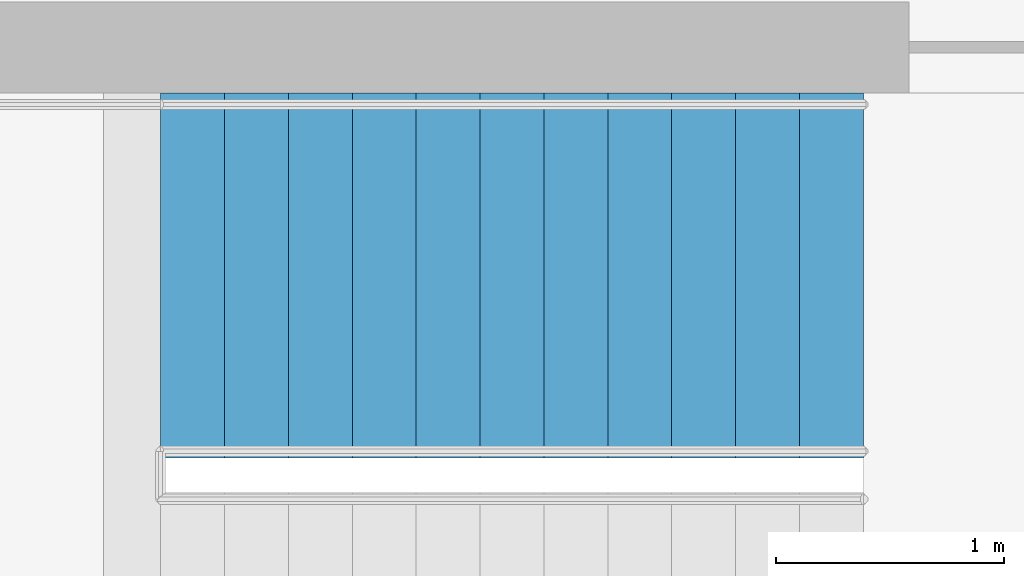
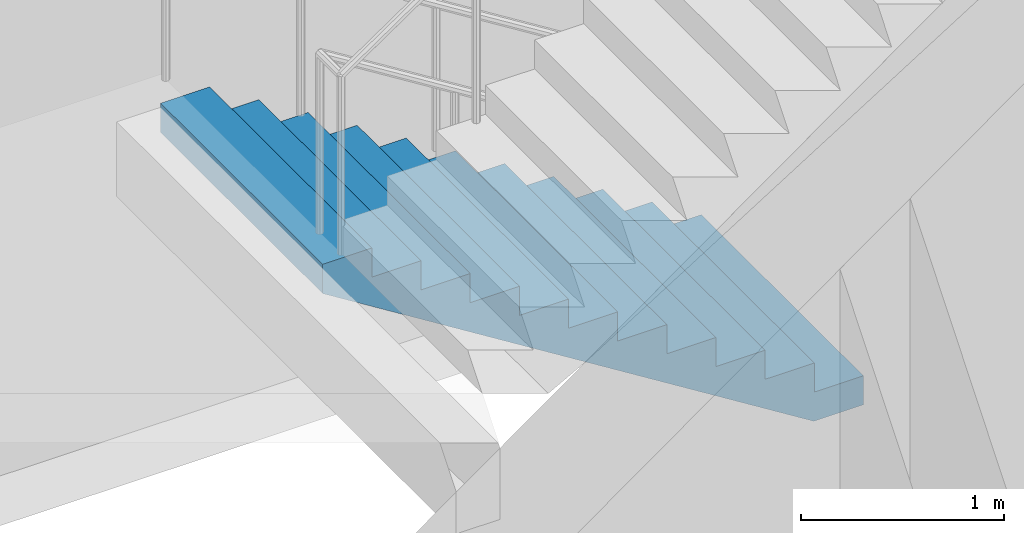
# One storey, part 17 of 21: 1 stair flight, 1 element without a shape of its own.
"""IFC4 building model written with IfcOpenShell, lengths in metres."""

from ifc_helpers import new_model, si_unit, direction, frame, origin, place, context, subcontext, project, spatial, polyline, outline, extrude, material, type_object, element, aggregate, save


model = new_model("IFC4")

# Units and contexts
model_context = context("Model", 3, precision=1e-05, world=origin(), true_north=direction((0.0, 1.0)))
body_context = subcontext(model_context, "Body", "Model", "MODEL_VIEW")
ifc_project = project(units=[si_unit("LENGTHUNIT", "METRE"), si_unit("AREAUNIT", "SQUARE_METRE"), si_unit("VOLUMEUNIT", "CUBIC_METRE"), si_unit("PLANEANGLEUNIT", "RADIAN"), si_unit("MASSUNIT", "GRAM", prefix="KILO")], contexts=[model_context])

# Site, building, storey
site_placement = place(None, origin())
site = spatial("IfcSite", under=ifc_project, at=site_placement, CompositionType="ELEMENT")
building_placement = place(site_placement, origin())
building = spatial("IfcBuilding", under=site, at=building_placement, Name="Cobogo Forest Laboratory Tower", CompositionType="ELEMENT")
storey_placement = place(building_placement, frame((0.0, 0.0, 283.800048828125)))
storey = spatial("IfcBuildingStorey", under=building, at=storey_placement, Name="L65", CompositionType="ELEMENT", Elevation=283.800048828125)

# Stair, stair flight
ifc_material = material(Name="Precast concrete HA-40 (C40/50)", Category="concrete")
stair_type = type_object("IfcStairType", Name="ST24 exit stair 24 risers", PredefinedType="HALF_TURN_STAIR", material=ifc_material)
stair_placement = place(storey_placement, origin())
stair = element("IfcStair", 1, at=stair_placement, inside=storey, type_object=stair_type, Name="Stair 2 L65 to L66", PredefinedType="HALF_TURN_STAIR")
stair_flight_type = type_object("IfcStairFlightType", Name="ST stair flight 280 going", PredefinedType="STRAIGHT", material=ifc_material)
stair_flight_placement = place(storey_placement, frame((37.47509765625, 25.699951171875, 0.0), z_axis=(0.0, 0.0, 1.0), x_axis=(-1.0, 0.0, 0.0)))
stair_flight = element("IfcStairFlight", 2, at=stair_flight_placement, type_object=stair_flight_type, Name="ST2 flight 1", NumberOfRisers=12, NumberOfTreads=11, PredefinedType="STRAIGHT", RiserHeight=0.175, TreadLength=0.28, context=body_context, shape_type="SweptSolid", body=[
    extrude(outline(polyline([(0.0, 0.0), (0.0, 0.175048828125), (0.280029296875, 0.175048828125), (0.280029296875, 0.35009765625), (0.56005859375, 0.35009765625), (0.56005859375, 0.52490234375), (0.840087890625, 0.52490234375), (0.840087890625, 0.699951171875), (1.1201171875, 0.699951171875), (1.1201171875, 0.875), (1.39990234375, 0.875), (1.39990234375, 1.050048828125), (1.679931640625, 1.050048828125), (1.679931640625, 1.22509765625), (1.9599609375, 1.22509765625), (1.9599609375, 1.39990234375), (2.239990234375, 1.39990234375), (2.239990234375, 1.574951171875), (2.52001953125, 1.574951171875), (2.52001953125, 1.75), (2.800048828125, 1.75), (2.800048828125, 1.925048828125), (3.080078125, 1.925048828125), (3.080078125, 2.10009765625), (3.080078125, 1.748291015625), (0.28271484375, 0.0), (0.0, 0.0)])), frame((0.0, 0.800048828125, 0.0), z_axis=(0.0, -1.0, 0.0), x_axis=(1.0, 0.0, 0.0)), (0.0, 0.0, 1.0), 1.60009765625),
])
aggregate(stair, [stair_flight])

save(model, "model.ifc")
